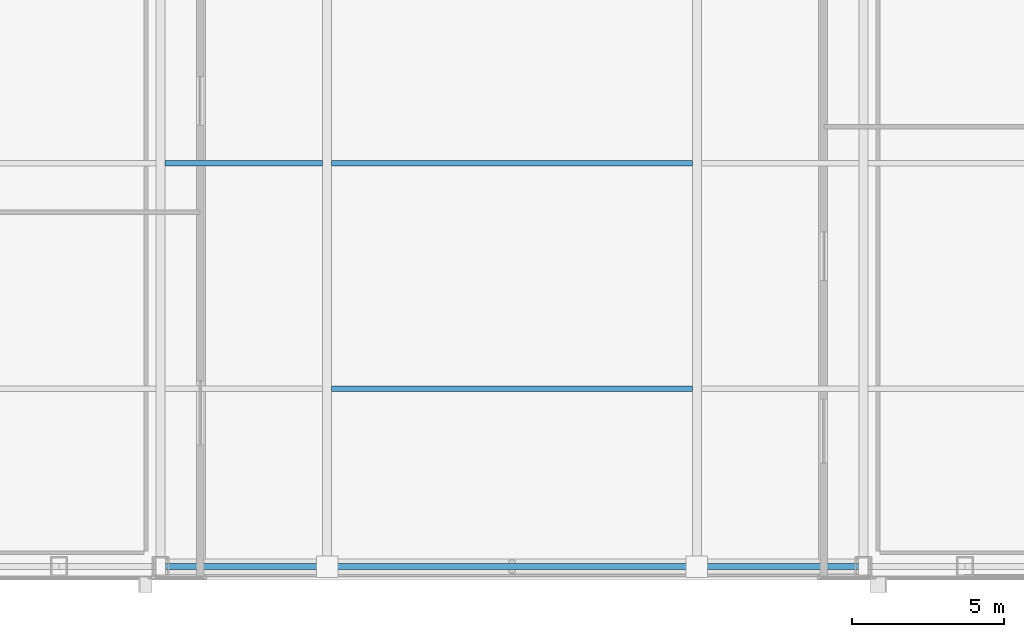
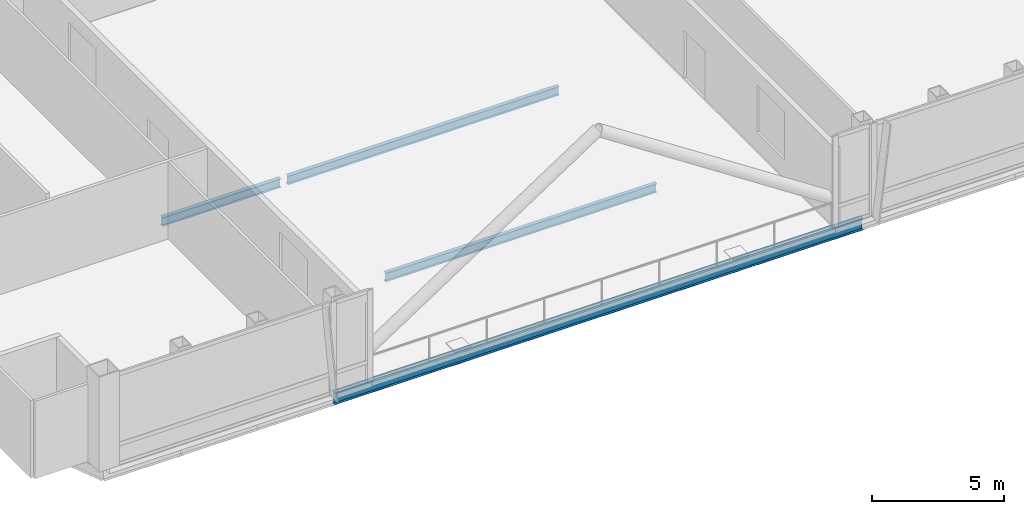
# One storey, part 8 of 27: 4 beams.
"""IFC4 building model written with IfcOpenShell, lengths in metres."""

import ifcopenshell
import ifcopenshell.guid

model = None  # the IFC model being written
_history = None  # IfcOwnerHistory: only IFC2X3 demands one
_inside = {}  # id of a spatial element -> (the spatial element, [elements in it])
_under = {}  # id of a project, library or spatial element -> (it, [spatial elements below it])
_declared = {}  # id of a project -> (the project, [libraries it declares])
_typed = {}  # id of a type object -> (the type object, [elements of that type])
_made_of = {}  # id of a material, layer set ... -> (it, [elements and type objects made of it])


def new_model(schema):
    """Start an empty IFC model of exactly this schema.

    Asked for "IFC4X3", IfcOpenShell would pick the latest addendum, in which some entities
    have other attributes; the version numbers below select the first issue.
    IFC2X3 requires an IfcOwnerHistory on every rooted entity: one is made here for all.
    """
    global model, _history
    if schema == "IFC4X3":
        model = ifcopenshell.file(schema_version=(4, 3, 0, 0))
    else:
        model = ifcopenshell.file(schema=schema)
    _inside.clear()
    _under.clear()
    _declared.clear()
    _typed.clear()
    _made_of.clear()
    _history = None
    if model.schema == "IFC2X3":
        org = make("IfcOrganization", Name="unknown")
        user = make(
            "IfcPersonAndOrganization",
            ThePerson=make("IfcPerson", FamilyName="unknown"),
            TheOrganization=org,
        )
        app = make(
            "IfcApplication",
            ApplicationDeveloper=org,
            Version="unknown",
            ApplicationFullName="unknown",
            ApplicationIdentifier="unknown",
        )
        _history = make(
            "IfcOwnerHistory",
            OwningUser=user,
            OwningApplication=app,
            ChangeAction="ADDED",
            CreationDate=0,
        )
    return model


def make(cls, **values):
    """One entity of the class cls with the attributes given. An attribute that is None is left unset."""
    return model.create_entity(
        cls, **{name: value for name, value in values.items() if value is not None}
    )


def rooted(cls, **values):
    """An entity with a GlobalId (a new one), such as an element, a storey or a relation."""
    return make(cls, GlobalId=ifcopenshell.guid.new(), OwnerHistory=_history, **values)


def si_unit(unit_type, name, prefix=None):
    """IfcSIUnit, for example si_unit("LENGTHUNIT", "METRE", prefix="MILLI")."""
    return make("IfcSIUnit", UnitType=unit_type, Prefix=prefix, Name=name)


def assignment(units):
    """IfcUnitAssignment: the units of a project."""
    return None if units is None else make("IfcUnitAssignment", Units=units)


def point(xyz):
    """IfcCartesianPoint."""
    return None if xyz is None else make("IfcCartesianPoint", Coordinates=xyz)


def direction(xyz):
    """IfcDirection."""
    return None if xyz is None else make("IfcDirection", DirectionRatios=xyz)


def frame(location, z_axis=None, x_axis=None):
    """IfcAxis2Placement3D, a coordinate frame: its origin and axes. An axis left out is left unset."""
    return make(
        "IfcAxis2Placement3D",
        Location=point(location),
        Axis=direction(z_axis),
        RefDirection=direction(x_axis),
    )


def frame_2d(location, x_axis=None):
    """IfcAxis2Placement2D, a coordinate frame in the plane: its origin and x axis."""
    return make(
        "IfcAxis2Placement2D", Location=point(location), RefDirection=direction(x_axis)
    )


def origin():
    """The frame at (0, 0, 0) with its axes left unset."""
    return frame((0.0, 0.0, 0.0))


def origin_2d():
    """The frame at (0, 0) in the plane with its x axis left unset."""
    return frame_2d((0.0, 0.0))


def place(relative_to, where):
    """IfcLocalPlacement: puts the frame where relative to a parent placement (None: the world)."""
    return make(
        "IfcLocalPlacement", PlacementRelTo=relative_to, RelativePlacement=where
    )


def context(
    kind, dimensions, precision=None, world=None, true_north=None, identifier=None
):
    """IfcGeometricRepresentationContext, for example the 3D "Model" context."""
    return make(
        "IfcGeometricRepresentationContext",
        ContextIdentifier=identifier,
        ContextType=kind,
        CoordinateSpaceDimension=dimensions,
        Precision=precision,
        WorldCoordinateSystem=world,
        TrueNorth=true_north,
    )


def subcontext(parent, identifier, kind, view, scale=None):
    """IfcGeometricRepresentationSubContext, for example "Body" below "Model"."""
    return make(
        "IfcGeometricRepresentationSubContext",
        ContextIdentifier=identifier,
        ContextType=kind,
        ParentContext=parent,
        TargetScale=scale,
        TargetView=view,
    )


def project(units=None, contexts=None):
    """IfcProject with its units and contexts."""
    return rooted(
        "IfcProject",
        Name="project",
        RepresentationContexts=contexts,
        UnitsInContext=assignment(units),
    )


def spatial(cls, under=None, at=None, **own):
    """A site, building, storey or space (cls), placed at a placement, below another one or the project."""
    s = rooted(cls, ObjectPlacement=at, **own)
    if under is not None:
        _under.setdefault(under.id(), (under, []))[1].append(s)
    return s


def profile(cls, at=None, kind="AREA", **sizes):
    """A parametric profile (cls). Its sizes go by their IFC names, for example OverallWidth=200.0."""
    return make(cls, ProfileType=kind, Position=at, **sizes)


def i_section(**sizes):
    """IfcIShapeProfileDef."""
    return profile("IfcIShapeProfileDef", **sizes)


def extrude(swept, where, along, depth):
    """IfcExtrudedAreaSolid: the profile swept, set in the frame where, extruded along a direction by depth."""
    return make(
        "IfcExtrudedAreaSolid",
        SweptArea=swept,
        Position=where,
        ExtrudedDirection=direction(along),
        Depth=depth,
    )


def shape(context_of_items, identifier, shape_type, items):
    """IfcShapeRepresentation: the items that make up one representation, for example the "Body"."""
    return make(
        "IfcShapeRepresentation",
        ContextOfItems=context_of_items,
        RepresentationIdentifier=identifier,
        RepresentationType=shape_type,
        Items=items,
    )


def material(Name=None, Category=None):
    """IfcMaterial."""
    return make("IfcMaterial", Name=Name, Category=Category)


def material_profile(
    of_material, cross_section, Name=None, Category=None, Priority=None
):
    """IfcMaterialProfile: a cross section and its material."""
    return make(
        "IfcMaterialProfile",
        Name=Name,
        Material=of_material,
        Profile=cross_section,
        Priority=Priority,
        Category=Category,
    )


def profile_set(profiles, Name=None, composite=None):
    """IfcMaterialProfileSet."""
    return make(
        "IfcMaterialProfileSet",
        Name=Name,
        MaterialProfiles=profiles,
        CompositeProfile=composite,
    )


def made_of(thing, what):
    """Note that an element or type object is made of a material, layer set ...; save() writes the relation."""
    if what is not None:
        _made_of.setdefault(what.id(), (what, []))[1].append(thing)
    return thing


def type_object(cls, material=None, **own):
    """A type object (cls), such as IfcWallType, which elements share."""
    return made_of(rooted(cls, **own), material)


def element(
    cls,
    number,
    at=None,
    inside=None,
    cuts=None,
    type_object=None,
    material=None,
    context=None,
    identifier="Body",
    shape_type=None,
    held_by="IfcProductDefinitionShape",
    body=None,
    shapes=None,
    **own,
):
    """One element of the class cls, such as IfcWall. Its Tag is "e" and its number.

    at: its placement. inside: the storey or other place that contains it. cuts: it is an
    opening in that element (IfcRelVoidsElement). A single representation is given by context,
    identifier, shape_type and body (its items); several are given by shapes. held_by: the class
    of the entity that holds the representations. save() writes the other relations.
    """
    e = rooted(cls, Tag="e%d" % number, ObjectPlacement=at, **own)
    if body is not None:
        shapes = [shape(context, identifier, shape_type, body)]
    if shapes is not None:
        e.Representation = make(held_by, Representations=shapes)
    if inside is not None:
        _inside.setdefault(inside.id(), (inside, []))[1].append(e)
    if cuts is not None:
        rooted(
            "IfcRelVoidsElement", RelatingBuildingElement=cuts, RelatedOpeningElement=e
        )
    if type_object is not None:
        _typed.setdefault(type_object.id(), (type_object, []))[1].append(e)
    return made_of(e, material)


def aggregate(whole, parts):
    """IfcRelAggregates: a whole, such as a stair, and the parts it consists of."""
    return rooted("IfcRelAggregates", RelatingObject=whole, RelatedObjects=parts)


def save(model, path):
    """Write the relations noted so far, then the file.

    IfcRelAggregates (storeys below a building ...), IfcRelContainedInSpatialStructure (elements
    in a storey), IfcRelDefinesByType, IfcRelAssociatesMaterial and IfcRelDeclares: one each for
    every whole, place, type object, material and project.
    """
    for whole, parts in _under.values():
        aggregate(whole, parts)
    for where, things in _inside.values():
        rooted(
            "IfcRelContainedInSpatialStructure",
            RelatedElements=things,
            RelatingStructure=where,
        )
    for kind, things in _typed.values():
        rooted("IfcRelDefinesByType", RelatedObjects=things, RelatingType=kind)
    for what, things in _made_of.values():
        rooted("IfcRelAssociatesMaterial", RelatedObjects=things, RelatingMaterial=what)
    for by, libraries in _declared.values():
        rooted("IfcRelDeclares", RelatingContext=by, RelatedDefinitions=libraries)
    model.write(path)


model = new_model("IFC4")

# Units and contexts
model_context = context("Model", 3, precision=1e-05, world=origin(), true_north=direction((0.0, 1.0)))
body_context = subcontext(model_context, "Body", "Model", "MODEL_VIEW")
ifc_project = project(units=[si_unit("LENGTHUNIT", "METRE"), si_unit("AREAUNIT", "SQUARE_METRE"), si_unit("VOLUMEUNIT", "CUBIC_METRE"), si_unit("PLANEANGLEUNIT", "RADIAN"), si_unit("MASSUNIT", "GRAM", prefix="KILO")], contexts=[model_context])

# Site, building, storey
site_placement = place(None, origin())
site = spatial("IfcSite", under=ifc_project, at=site_placement, CompositionType="ELEMENT")
building_placement = place(site_placement, origin())
building = spatial("IfcBuilding", under=site, at=building_placement, Name="Khoronbel Lancet Exchange", CompositionType="ELEMENT")
storey_placement = place(building_placement, frame((0.0, 0.0, 305.800048828125)))
storey = spatial("IfcBuildingStorey", under=building, at=storey_placement, Name="L79", CompositionType="ELEMENT", Elevation=305.800048828125)

# Beams
ifc_material = material(Name="Steel S355", Category="steel")
ifc_material_profile_1 = material_profile(ifc_material, i_section(OverallWidth=0.179931640625, OverallDepth=0.39990234375, WebThickness=0.008544921875, FlangeThickness=0.013427734375, at=origin_2d()), Name="IPE 400")
ifc_profile_set_1 = profile_set([ifc_material_profile_1], Name="Steel S355")
beam_type_1 = type_object("IfcBeamType", Name="BM-BJ5", PredefinedType="JOIST", material=ifc_profile_set_1)
beam_1_placement = place(storey_placement, frame((30.52490234375, 16.0, -0.420166015625), z_axis=(1.0, 0.0, 0.0), x_axis=(0.0, 1.0, 0.0)))
element("IfcBeam", 1, at=beam_1_placement, inside=storey, type_object=beam_type_1, Name="Level L79 secondary composite joist J03", PredefinedType="JOIST", context=body_context, shape_type="SweptSolid", body=[
    extrude(i_section(OverallWidth=0.179931640625, OverallDepth=0.39990234375, WebThickness=0.008544921875, FlangeThickness=0.013427734375, at=origin_2d()), origin(), (0.0, 0.0, 1.0), 11.85009765625),
])
beam_2_placement = place(storey_placement, frame((25.050048828125, 23.39990234375, -0.420166015625), z_axis=(1.0, 0.0, 0.0), x_axis=(0.0, 1.0, 0.0)))
element("IfcBeam", 2, at=beam_2_placement, inside=storey, type_object=beam_type_1, Name="Level L79 secondary composite joist J07", PredefinedType="JOIST", context=body_context, shape_type="SweptSolid", body=[
    extrude(i_section(OverallWidth=0.179931640625, OverallDepth=0.39990234375, WebThickness=0.008544921875, FlangeThickness=0.013427734375, at=origin_2d()), origin(), (0.0, 0.0, 1.0), 5.175048828125),
])
beam_3_placement = place(storey_placement, frame((30.52490234375, 23.39990234375, -0.420166015625), z_axis=(1.0, 0.0, 0.0), x_axis=(0.0, 1.0, 0.0)))
element("IfcBeam", 3, at=beam_3_placement, inside=storey, type_object=beam_type_1, Name="Level L79 secondary composite joist J08", PredefinedType="JOIST", context=body_context, shape_type="SweptSolid", body=[
    extrude(i_section(OverallWidth=0.179931640625, OverallDepth=0.39990234375, WebThickness=0.008544921875, FlangeThickness=0.013427734375, at=origin_2d()), origin(), (0.0, 0.0, 1.0), 11.85009765625),
])
ifc_material_profile_2 = material_profile(ifc_material, i_section(OverallWidth=0.2099609375, OverallDepth=0.550048828125, WebThickness=0.010986328125, FlangeThickness=0.01708984375, at=origin_2d()), Name="IPE 550")
ifc_profile_set_2 = profile_set([ifc_material_profile_2], Name="Steel S355")
beam_type_2 = type_object("IfcBeamType", Name="BM-BSP3", PredefinedType="SPANDREL", material=ifc_profile_set_2)
beam_4_placement = place(storey_placement, frame((24.89990234375, 10.14990234375, -0.4951171875), z_axis=(1.0, 0.0, 0.0), x_axis=(0.0, 1.0, 0.0)))
element("IfcBeam", 4, at=beam_4_placement, inside=storey, type_object=beam_type_2, Name="Level L79 perimeter spandrel beam SP04", PredefinedType="SPANDREL", context=body_context, shape_type="SweptSolid", body=[
    extrude(i_section(OverallWidth=0.2099609375, OverallDepth=0.550048828125, WebThickness=0.010986328125, FlangeThickness=0.01708984375, at=origin_2d()), origin(), (0.0, 0.0, 1.0), 23.10009765625),
])

save(model, "model.ifc")
